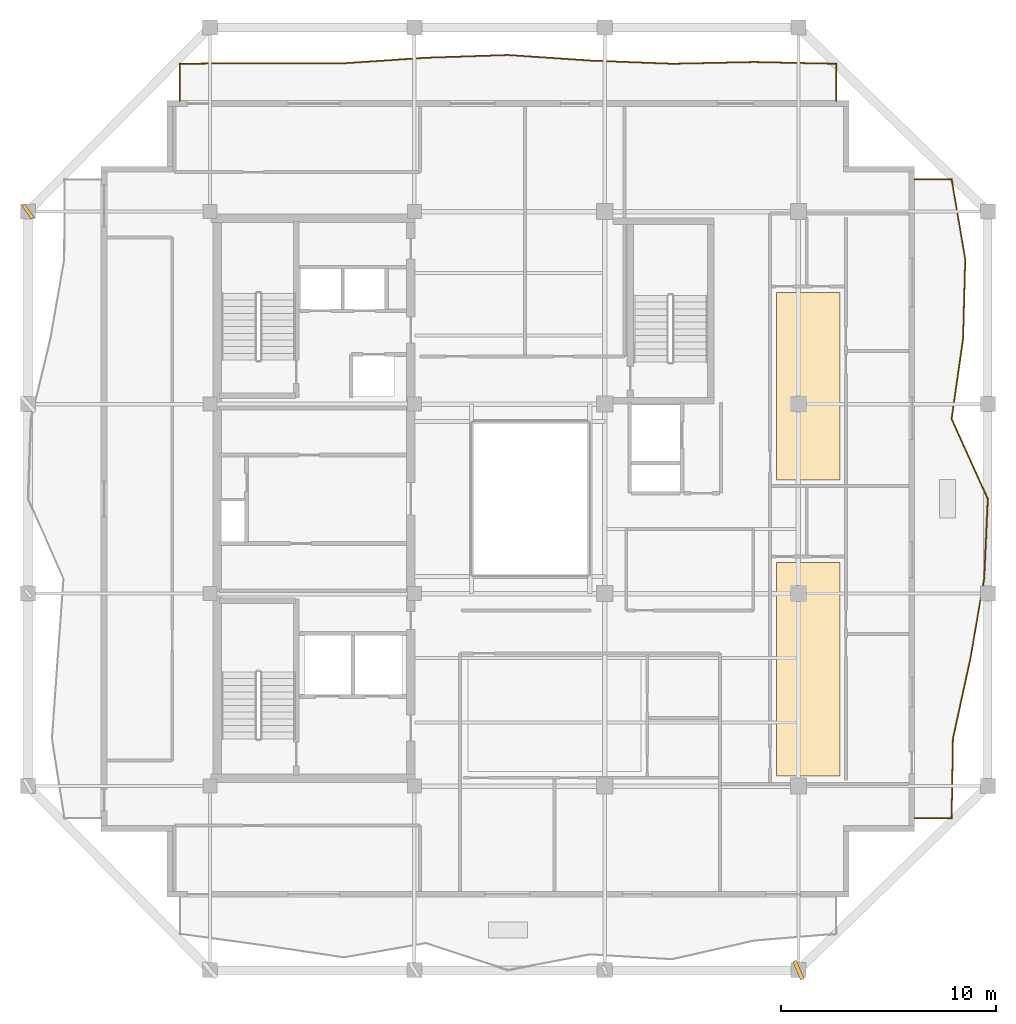
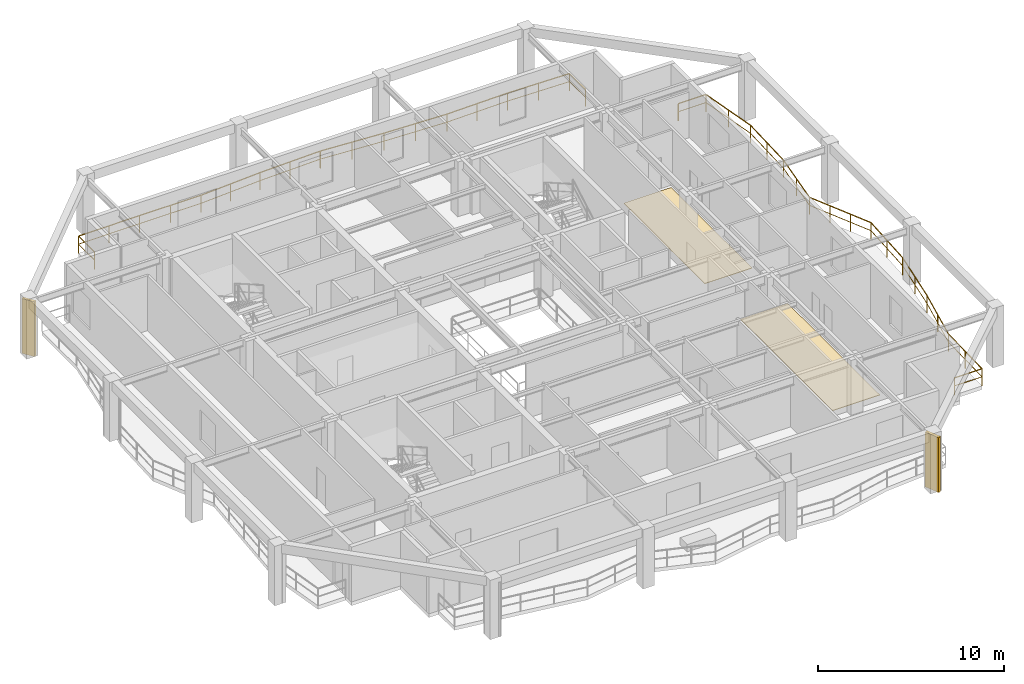
# One storey, part 9 of 10: 2 coverings, 2 railings, 2 shading devices.
"""IFC4 building model written with IfcOpenShell, lengths in metres."""

from ifc_helpers import new_model, si_unit, direction, frame, origin, origin_2d, place, context, subcontext, project, spatial, polyline, rectangle, outline, extrude, material, layer, layer_set, type_object, element, save


model = new_model("IFC4")

# Units and contexts
model_context = context("Model", 3, precision=1e-05, world=origin(), true_north=direction((0.0, 1.0)))
body_context = subcontext(model_context, "Body", "Model", "MODEL_VIEW")
ifc_project = project(units=[si_unit("LENGTHUNIT", "METRE"), si_unit("AREAUNIT", "SQUARE_METRE"), si_unit("VOLUMEUNIT", "CUBIC_METRE"), si_unit("PLANEANGLEUNIT", "RADIAN"), si_unit("MASSUNIT", "GRAM", prefix="KILO")], contexts=[model_context])

# Site, building, storey
site_placement = place(None, origin())
site = spatial("IfcSite", under=ifc_project, at=site_placement, CompositionType="ELEMENT")
building_placement = place(site_placement, origin())
building = spatial("IfcBuilding", under=site, at=building_placement, Name="Kundavana Baori Tower", CompositionType="ELEMENT")
storey_placement = place(building_placement, frame((0.0, 0.0, 303.800048828125)))
storey = spatial("IfcBuildingStorey", under=building, at=storey_placement, Name="L75", CompositionType="ELEMENT", Elevation=303.800048828125)

# Coverings
ifc_material_1 = material(Name="Honed Kota Stone and Terrazzo Flooring", Category="masonry")
ifc_layer = layer(ifc_material_1, 0.030029296875, Name="COV-INT-FLR")
ifc_layer_set = layer_set([ifc_layer], Name="Honed Kota Stone and Terrazzo Flooring")
covering_type = type_object("IfcCoveringType", Name="COV-INT-FLR", PredefinedType="FLOORING", material=ifc_layer_set)
covering_1_placement = place(storey_placement, origin())
element("IfcCovering", 1, at=covering_1_placement, inside=storey, type_object=covering_type, Name="L75 Room Finished Stone Flooring 2", PredefinedType="FLOORING", context=body_context, shape_type="SweptSolid", body=[
    extrude(outline(polyline([(41.780029296875, 15.72998046875), (44.719970703125, 15.72998046875), (44.719970703125, 25.639892578125), (41.780029296875, 25.639892578125), (41.780029296875, 15.72998046875)])), origin(), (0.0, 0.0, 1.0), 0.030029296875),
])
covering_2_placement = place(storey_placement, origin())
element("IfcCovering", 2, at=covering_2_placement, inside=storey, type_object=covering_type, Name="L75 Room Finished Stone Flooring 3", PredefinedType="FLOORING", context=body_context, shape_type="SweptSolid", body=[
    extrude(outline(polyline([(41.780029296875, 29.47998046875), (44.719970703125, 29.47998046875), (44.719970703125, 38.18994140625), (41.780029296875, 38.18994140625), (41.780029296875, 29.47998046875)])), origin(), (0.0, 0.0, 1.0), 0.030029296875),
])

# Railings
ifc_material_2 = material(Name="Architectural Patinated Bronze Metalwork")
railing_type = type_object("IfcRailingType", Name="RL-BAL-1150", PredefinedType="BALUSTRADE", material=ifc_material_2)
railing_1_placement = place(storey_placement, frame((48.199951171875, 43.449951171875, 0.0)))
element("IfcRailing", 3, at=railing_1_placement, inside=storey, type_object=railing_type, Name="L75 Loggia Balcony Balustrade E", PredefinedType="BALUSTRADE", context=body_context, shape_type="SweptSolid", body=[
    extrude(rectangle(XDim=0.048095703125, YDim=0.048095703125, at=origin_2d()), frame((0.0, 0.0, 1.1259765625), z_axis=(1.0, 0.0, 0.0), x_axis=(0.0, 1.0, 0.0)), (0.0, 0.0, 1.0), 1.719970703125),
    extrude(rectangle(XDim=0.03125, YDim=0.03125, at=origin_2d()), frame((0.0, 0.0, 0.597900390625), z_axis=(1.0, 0.0, 0.0), x_axis=(0.0, 1.0, 0.0)), (0.0, 0.0, 1.0), 1.719970703125),
    extrude(rectangle(XDim=0.048095703125, YDim=0.048095703125, at=origin_2d()), frame((1.719970703125, 0.0, 1.1259765625), z_axis=(0.168119753974, -0.985766579026, 0.0), x_axis=(0.985766579026, 0.168119753974, 0.0)), (0.0, 0.0, 1.0), 3.765625),
    extrude(rectangle(XDim=0.03125, YDim=0.03125, at=origin_2d()), frame((1.719970703125, 0.0, 0.597900390625), z_axis=(0.168119753974, -0.985766579026, 0.0), x_axis=(0.985766579026, 0.168119753974, 0.0)), (0.0, 0.0, 1.0), 3.765625),
    extrude(rectangle(XDim=0.048095703125, YDim=0.048095703125, at=origin_2d()), frame((2.35302734375, -3.7119140625, 1.1259765625), z_axis=(-0.027210645331, -0.999629721837, 0.0), x_axis=(0.999629721837, -0.027210645331, 0.0)), (0.0, 0.0, 1.0), 3.714599609375),
    extrude(rectangle(XDim=0.03125, YDim=0.03125, at=origin_2d()), frame((2.35302734375, -3.7119140625, 0.597900390625), z_axis=(-0.027210645331, -0.999629721837, 0.0), x_axis=(0.999629721837, -0.027210645331, 0.0)), (0.0, 0.0, 1.0), 3.714599609375),
    extrude(rectangle(XDim=0.048095703125, YDim=0.048095703125, at=origin_2d()), frame((2.251953125, -7.425048828125, 1.1259765625), z_axis=(-0.141576274751, -0.989927350076, 0.0), x_axis=(0.989927350076, -0.141576274751, 0.0)), (0.0, 0.0, 1.0), 3.750732421875),
    extrude(rectangle(XDim=0.03125, YDim=0.03125, at=origin_2d()), frame((2.251953125, -7.425048828125, 0.597900390625), z_axis=(-0.141576274751, -0.989927350076, 0.0), x_axis=(0.989927350076, -0.141576274751, 0.0)), (0.0, 0.0, 1.0), 3.750732421875),
    extrude(rectangle(XDim=0.048095703125, YDim=0.048095703125, at=origin_2d()), frame((1.720947265625, -11.137939453125, 1.1259765625), z_axis=(0.412167869855, -0.911107922838, 0.0), x_axis=(0.911107922838, 0.412167869855, 0.0)), (0.0, 0.0, 1.0), 4.073974609375),
    extrude(rectangle(XDim=0.03125, YDim=0.03125, at=origin_2d()), frame((1.720947265625, -11.137939453125, 0.597900390625), z_axis=(0.412167869855, -0.911107922838, 0.0), x_axis=(0.911107922838, 0.412167869855, 0.0)), (0.0, 0.0, 1.0), 4.073974609375),
    extrude(rectangle(XDim=0.048095703125, YDim=0.048095703125, at=origin_2d()), frame((3.400146484375, -14.849853515625, 1.1259765625), z_axis=(-0.046316567078, -0.998926811941, 0.0), x_axis=(0.998926811941, -0.046316567078, 0.0)), (0.0, 0.0, 1.0), 3.716064453125),
    extrude(rectangle(XDim=0.03125, YDim=0.03125, at=origin_2d()), frame((3.400146484375, -14.849853515625, 0.597900390625), z_axis=(-0.046316567078, -0.998926811941, 0.0), x_axis=(0.998926811941, -0.046316567078, 0.0)), (0.0, 0.0, 1.0), 3.716064453125),
    extrude(rectangle(XDim=0.048095703125, YDim=0.048095703125, at=origin_2d()), frame((3.22802734375, -18.56201171875, 1.1259765625), z_axis=(-0.168580624958, -0.985687867882, 0.0), x_axis=(0.985687867882, -0.168580624958, 0.0)), (0.0, 0.0, 1.0), 3.766845703125),
    extrude(rectangle(XDim=0.03125, YDim=0.03125, at=origin_2d()), frame((3.22802734375, -18.56201171875, 0.597900390625), z_axis=(-0.168580624958, -0.985687867882, 0.0), x_axis=(0.985687867882, -0.168580624958, 0.0)), (0.0, 0.0, 1.0), 3.766845703125),
    extrude(rectangle(XDim=0.048095703125, YDim=0.048095703125, at=origin_2d()), frame((2.593017578125, -22.27490234375, 1.1259765625), z_axis=(-0.21314700663, -0.977020139795, 0.0), x_axis=(0.977020139795, -0.21314700663, 0.0)), (0.0, 0.0, 1.0), 3.800537109375),
    extrude(rectangle(XDim=0.03125, YDim=0.03125, at=origin_2d()), frame((2.593017578125, -22.27490234375, 0.597900390625), z_axis=(-0.21314700663, -0.977020139795, 0.0), x_axis=(0.977020139795, -0.21314700663, 0.0)), (0.0, 0.0, 1.0), 3.800537109375),
    extrude(rectangle(XDim=0.048095703125, YDim=0.048095703125, at=origin_2d()), frame((1.782958984375, -25.988037109375, 1.1259765625), z_axis=(-0.016966775974, -0.999856053896, 0.0), x_axis=(0.999856053896, -0.016966775974, 0.0)), (0.0, 0.0, 1.0), 3.71240234375),
    extrude(rectangle(XDim=0.03125, YDim=0.03125, at=origin_2d()), frame((1.782958984375, -25.988037109375, 0.597900390625), z_axis=(-0.016966775974, -0.999856053896, 0.0), x_axis=(0.999856053896, -0.016966775974, 0.0)), (0.0, 0.0, 1.0), 3.71240234375),
    extrude(rectangle(XDim=0.048095703125, YDim=0.048095703125, at=origin_2d()), frame((1.719970703125, -29.699951171875, 1.1259765625), z_axis=(-1.0, 0.0, 0.0), x_axis=(0.0, -1.0, 0.0)), (0.0, 0.0, 1.0), 1.719970703125),
    extrude(rectangle(XDim=0.03125, YDim=0.03125, at=origin_2d()), frame((1.719970703125, -29.699951171875, 0.597900390625), z_axis=(-1.0, 0.0, 0.0), x_axis=(0.0, -1.0, 0.0)), (0.0, 0.0, 1.0), 1.719970703125),
    extrude(rectangle(XDim=0.0419921875, YDim=0.0419921875, at=origin_2d()), origin(), (0.0, 0.0, 1.0), 1.101806640625),
    extrude(rectangle(XDim=0.0419921875, YDim=0.0419921875, at=origin_2d()), frame((1.719970703125, 0.0, 0.0)), (0.0, 0.0, 1.0), 1.101806640625),
    extrude(rectangle(XDim=0.0419921875, YDim=0.0419921875, at=origin_2d()), frame((2.03662109375, -1.85595703125, 0.0)), (0.0, 0.0, 1.0), 1.101806640625),
    extrude(rectangle(XDim=0.0419921875, YDim=0.0419921875, at=origin_2d()), frame((2.35302734375, -3.7119140625, 0.0)), (0.0, 0.0, 1.0), 1.101806640625),
    extrude(rectangle(XDim=0.0419921875, YDim=0.0419921875, at=origin_2d()), frame((2.302490234375, -5.568359375, 0.0)), (0.0, 0.0, 1.0), 1.101806640625),
    extrude(rectangle(XDim=0.0419921875, YDim=0.0419921875, at=origin_2d()), frame((2.251953125, -7.425048828125, 0.0)), (0.0, 0.0, 1.0), 1.101806640625),
    extrude(rectangle(XDim=0.0419921875, YDim=0.0419921875, at=origin_2d()), frame((1.986328125, -9.281494140625, 0.0)), (0.0, 0.0, 1.0), 1.101806640625),
    extrude(rectangle(XDim=0.0419921875, YDim=0.0419921875, at=origin_2d()), frame((1.720947265625, -11.137939453125, 0.0)), (0.0, 0.0, 1.0), 1.101806640625),
    extrude(rectangle(XDim=0.0419921875, YDim=0.0419921875, at=origin_2d()), frame((2.28076171875, -12.375244140625, 0.0)), (0.0, 0.0, 1.0), 1.101806640625),
    extrude(rectangle(XDim=0.0419921875, YDim=0.0419921875, at=origin_2d()), frame((2.84033203125, -13.612548828125, 0.0)), (0.0, 0.0, 1.0), 1.101806640625),
    extrude(rectangle(XDim=0.0419921875, YDim=0.0419921875, at=origin_2d()), frame((3.400146484375, -14.849853515625, 0.0)), (0.0, 0.0, 1.0), 1.101806640625),
    extrude(rectangle(XDim=0.0419921875, YDim=0.0419921875, at=origin_2d()), frame((3.31396484375, -16.7060546875, 0.0)), (0.0, 0.0, 1.0), 1.101806640625),
    extrude(rectangle(XDim=0.0419921875, YDim=0.0419921875, at=origin_2d()), frame((3.22802734375, -18.56201171875, 0.0)), (0.0, 0.0, 1.0), 1.101806640625),
    extrude(rectangle(XDim=0.0419921875, YDim=0.0419921875, at=origin_2d()), frame((2.91064453125, -20.41845703125, 0.0)), (0.0, 0.0, 1.0), 1.101806640625),
    extrude(rectangle(XDim=0.0419921875, YDim=0.0419921875, at=origin_2d()), frame((2.593017578125, -22.27490234375, 0.0)), (0.0, 0.0, 1.0), 1.101806640625),
    extrude(rectangle(XDim=0.0419921875, YDim=0.0419921875, at=origin_2d()), frame((2.18798828125, -24.13134765625, 0.0)), (0.0, 0.0, 1.0), 1.101806640625),
    extrude(rectangle(XDim=0.0419921875, YDim=0.0419921875, at=origin_2d()), frame((1.782958984375, -25.988037109375, 0.0)), (0.0, 0.0, 1.0), 1.101806640625),
    extrude(rectangle(XDim=0.0419921875, YDim=0.0419921875, at=origin_2d()), frame((1.75146484375, -27.843994140625, 0.0)), (0.0, 0.0, 1.0), 1.101806640625),
    extrude(rectangle(XDim=0.0419921875, YDim=0.0419921875, at=origin_2d()), frame((1.719970703125, -29.699951171875, 0.0)), (0.0, 0.0, 1.0), 1.101806640625),
    extrude(rectangle(XDim=0.0419921875, YDim=0.0419921875, at=origin_2d()), frame((0.0, -29.699951171875, 0.0)), (0.0, 0.0, 1.0), 1.101806640625),
])
railing_2_placement = place(storey_placement, frame((14.050048828125, 47.10009765625, 0.0)))
element("IfcRailing", 4, at=railing_2_placement, inside=storey, type_object=railing_type, Name="L75 Loggia Balcony Balustrade N", PredefinedType="BALUSTRADE", context=body_context, shape_type="SweptSolid", body=[
    extrude(rectangle(XDim=0.048095703125, YDim=0.048095703125, at=origin_2d()), frame((0.0, 0.0, 1.1259765625), z_axis=(0.0, 1.0, 0.0), x_axis=(-1.0, 0.0, 0.0)), (0.0, 0.0, 1.0), 1.719970703125),
    extrude(rectangle(XDim=0.03125, YDim=0.03125, at=origin_2d()), frame((0.0, 0.0, 0.597900390625), z_axis=(0.0, 1.0, 0.0), x_axis=(-1.0, 0.0, 0.0)), (0.0, 0.0, 1.0), 1.719970703125),
    extrude(rectangle(XDim=0.048095703125, YDim=0.048095703125, at=origin_2d()), frame((0.0, 1.719970703125, 1.1259765625), z_axis=(0.99996898947, 0.007875284012, 0.0), x_axis=(-0.007875284012, 0.99996898947, 0.0)), (0.0, 0.0, 1.0), 3.81298828125),
    extrude(rectangle(XDim=0.03125, YDim=0.03125, at=origin_2d()), frame((0.0, 1.719970703125, 0.597900390625), z_axis=(0.99996898947, 0.007875284012, 0.0), x_axis=(-0.007875284012, 0.99996898947, 0.0)), (0.0, 0.0, 1.0), 3.81298828125),
    extrude(rectangle(XDim=0.048095703125, YDim=0.048095703125, at=origin_2d()), frame((3.81298828125, 1.75, 1.1259765625), z_axis=(0.999998275209, -0.001857304341, 0.0), x_axis=(0.001857304341, 0.999998275209, 0.0)), (0.0, 0.0, 1.0), 3.81201171875),
    extrude(rectangle(XDim=0.03125, YDim=0.03125, at=origin_2d()), frame((3.81298828125, 1.75, 0.597900390625), z_axis=(0.999998275209, -0.001857304341, 0.0), x_axis=(0.001857304341, 0.999998275209, 0.0)), (0.0, 0.0, 1.0), 3.81201171875),
    extrude(rectangle(XDim=0.048095703125, YDim=0.048095703125, at=origin_2d()), frame((7.625, 1.742919921875, 1.1259765625), z_axis=(0.997750813381, 0.067032189268, 0.0), x_axis=(-0.067032189268, 0.997750813381, 0.0)), (0.0, 0.0, 1.0), 3.820556640625),
    extrude(rectangle(XDim=0.03125, YDim=0.03125, at=origin_2d()), frame((7.625, 1.742919921875, 0.597900390625), z_axis=(0.997750813381, 0.067032189268, 0.0), x_axis=(-0.067032189268, 0.997750813381, 0.0)), (0.0, 0.0, 1.0), 3.820556640625),
    extrude(rectangle(XDim=0.048095703125, YDim=0.048095703125, at=origin_2d()), frame((11.43701171875, 1.9990234375, 1.1259765625), z_axis=(0.99942902784, 0.033787842662, 0.0), x_axis=(-0.033787842662, 0.99942902784, 0.0)), (0.0, 0.0, 1.0), 3.815185546875),
    extrude(rectangle(XDim=0.03125, YDim=0.03125, at=origin_2d()), frame((11.43701171875, 1.9990234375, 0.597900390625), z_axis=(0.99942902784, 0.033787842662, 0.0), x_axis=(-0.033787842662, 0.99942902784, 0.0)), (0.0, 0.0, 1.0), 3.815185546875),
    extrude(rectangle(XDim=0.048095703125, YDim=0.048095703125, at=origin_2d()), frame((15.25, 2.1279296875, 1.1259765625), z_axis=(0.997699238533, -0.067795497123, 0.0), x_axis=(0.067795497123, 0.997699238533, 0.0)), (0.0, 0.0, 1.0), 3.82080078125),
    extrude(rectangle(XDim=0.03125, YDim=0.03125, at=origin_2d()), frame((15.25, 2.1279296875, 0.597900390625), z_axis=(0.997699238533, -0.067795497123, 0.0), x_axis=(0.067795497123, 0.997699238533, 0.0)), (0.0, 0.0, 1.0), 3.82080078125),
    extrude(rectangle(XDim=0.048095703125, YDim=0.048095703125, at=origin_2d()), frame((19.06201171875, 1.868896484375, 1.1259765625), z_axis=(0.999248075275, -0.0387722073, 0.0), x_axis=(0.0387722073, 0.999248075275, 0.0)), (0.0, 0.0, 1.0), 3.81591796875),
    extrude(rectangle(XDim=0.03125, YDim=0.03125, at=origin_2d()), frame((19.06201171875, 1.868896484375, 0.597900390625), z_axis=(0.999248075275, -0.0387722073, 0.0), x_axis=(0.0387722073, 0.999248075275, 0.0)), (0.0, 0.0, 1.0), 3.81591796875),
    extrude(rectangle(XDim=0.048095703125, YDim=0.048095703125, at=origin_2d()), frame((22.875, 1.720947265625, 1.1259765625), z_axis=(0.999774019696, 0.021258164118, 0.0), x_axis=(-0.021258164118, 0.999774019696, 0.0)), (0.0, 0.0, 1.0), 3.81298828125),
    extrude(rectangle(XDim=0.03125, YDim=0.03125, at=origin_2d()), frame((22.875, 1.720947265625, 0.597900390625), z_axis=(0.999774019696, 0.021258164118, 0.0), x_axis=(-0.021258164118, 0.999774019696, 0.0)), (0.0, 0.0, 1.0), 3.81298828125),
    extrude(rectangle(XDim=0.048095703125, YDim=0.048095703125, at=origin_2d()), frame((26.68701171875, 1.802001953125, 1.1259765625), z_axis=(0.999768661988, -0.021508661188, 0.0), x_axis=(0.021508661188, 0.999768661988, 0.0)), (0.0, 0.0, 1.0), 3.81396484375),
    extrude(rectangle(XDim=0.03125, YDim=0.03125, at=origin_2d()), frame((26.68701171875, 1.802001953125, 0.597900390625), z_axis=(0.999768661988, -0.021508661188, 0.0), x_axis=(0.021508661188, 0.999768661988, 0.0)), (0.0, 0.0, 1.0), 3.81396484375),
    extrude(rectangle(XDim=0.048095703125, YDim=0.048095703125, at=origin_2d()), frame((30.5, 1.719970703125, 1.1259765625), z_axis=(0.0, -1.0, 0.0), x_axis=(1.0, 0.0, 0.0)), (0.0, 0.0, 1.0), 1.719970703125),
    extrude(rectangle(XDim=0.03125, YDim=0.03125, at=origin_2d()), frame((30.5, 1.719970703125, 0.597900390625), z_axis=(0.0, -1.0, 0.0), x_axis=(1.0, 0.0, 0.0)), (0.0, 0.0, 1.0), 1.719970703125),
    extrude(rectangle(XDim=0.0419921875, YDim=0.0419921875, at=origin_2d()), origin(), (0.0, 0.0, 1.0), 1.101806640625),
    extrude(rectangle(XDim=0.0419921875, YDim=0.0419921875, at=origin_2d()), frame((0.0, 1.719970703125, 0.0)), (0.0, 0.0, 1.0), 1.101806640625),
    extrude(rectangle(XDim=0.0419921875, YDim=0.0419921875, at=origin_2d()), frame((1.906494140625, 1.73486328125, 0.0)), (0.0, 0.0, 1.0), 1.101806640625),
    extrude(rectangle(XDim=0.0419921875, YDim=0.0419921875, at=origin_2d()), frame((3.81298828125, 1.75, 0.0)), (0.0, 0.0, 1.0), 1.101806640625),
    extrude(rectangle(XDim=0.0419921875, YDim=0.0419921875, at=origin_2d()), frame((5.718994140625, 1.74658203125, 0.0)), (0.0, 0.0, 1.0), 1.101806640625),
    extrude(rectangle(XDim=0.0419921875, YDim=0.0419921875, at=origin_2d()), frame((7.625, 1.742919921875, 0.0)), (0.0, 0.0, 1.0), 1.101806640625),
    extrude(rectangle(XDim=0.0419921875, YDim=0.0419921875, at=origin_2d()), frame((9.531005859375, 1.87109375, 0.0)), (0.0, 0.0, 1.0), 1.101806640625),
    extrude(rectangle(XDim=0.0419921875, YDim=0.0419921875, at=origin_2d()), frame((11.43701171875, 1.9990234375, 0.0)), (0.0, 0.0, 1.0), 1.101806640625),
    extrude(rectangle(XDim=0.0419921875, YDim=0.0419921875, at=origin_2d()), frame((13.343505859375, 2.0634765625, 0.0)), (0.0, 0.0, 1.0), 1.101806640625),
    extrude(rectangle(XDim=0.0419921875, YDim=0.0419921875, at=origin_2d()), frame((15.25, 2.1279296875, 0.0)), (0.0, 0.0, 1.0), 1.101806640625),
    extrude(rectangle(XDim=0.0419921875, YDim=0.0419921875, at=origin_2d()), frame((17.156005859375, 1.99853515625, 0.0)), (0.0, 0.0, 1.0), 1.101806640625),
    extrude(rectangle(XDim=0.0419921875, YDim=0.0419921875, at=origin_2d()), frame((19.06201171875, 1.868896484375, 0.0)), (0.0, 0.0, 1.0), 1.101806640625),
    extrude(rectangle(XDim=0.0419921875, YDim=0.0419921875, at=origin_2d()), frame((20.968505859375, 1.794921875, 0.0)), (0.0, 0.0, 1.0), 1.101806640625),
    extrude(rectangle(XDim=0.0419921875, YDim=0.0419921875, at=origin_2d()), frame((22.875, 1.720947265625, 0.0)), (0.0, 0.0, 1.0), 1.101806640625),
    extrude(rectangle(XDim=0.0419921875, YDim=0.0419921875, at=origin_2d()), frame((24.781005859375, 1.761474609375, 0.0)), (0.0, 0.0, 1.0), 1.101806640625),
    extrude(rectangle(XDim=0.0419921875, YDim=0.0419921875, at=origin_2d()), frame((26.68701171875, 1.802001953125, 0.0)), (0.0, 0.0, 1.0), 1.101806640625),
    extrude(rectangle(XDim=0.0419921875, YDim=0.0419921875, at=origin_2d()), frame((28.593505859375, 1.760986328125, 0.0)), (0.0, 0.0, 1.0), 1.101806640625),
    extrude(rectangle(XDim=0.0419921875, YDim=0.0419921875, at=origin_2d()), frame((30.5, 1.719970703125, 0.0)), (0.0, 0.0, 1.0), 1.101806640625),
    extrude(rectangle(XDim=0.0419921875, YDim=0.0419921875, at=origin_2d()), frame((30.5, 0.0, 0.0)), (0.0, 0.0, 1.0), 1.101806640625),
])

# Shading devices
ifc_material_3 = material(Name="Red-Buff Dholpur Sandstone Cladding on Concrete C40/50", Category="masonry")
shading_device_type_1 = type_object("IfcShadingDeviceType", Name="SHD-FIN-750", PredefinedType="JALOUSIE", material=ifc_material_3)
shading_device_1_placement = place(storey_placement, frame((7.0, 41.949951171875, 0.0), z_axis=(0.0, 0.0, 1.0), x_axis=(0.818851608095, 0.574005264714, 0.0)))
element("IfcShadingDevice", 5, at=shading_device_1_placement, inside=storey, type_object=shading_device_type_1, Name="L75 Sweeping Dholpur Sandstone Facade Fin 8", PredefinedType="JALOUSIE", context=body_context, shape_type="SweptSolid", body=[
    extrude(rectangle(XDim=0.159912109375, YDim=0.75, at=origin_2d()), origin(), (0.0, 0.0, 1.0), 3.60009765625),
])
ifc_material_4 = material(Name="Red-Buff Dholpur Sandstone Cladding on Concrete C40/50", Category="masonry")
shading_device_type_2 = type_object("IfcShadingDeviceType", Name="SHD-FIN-920", PredefinedType="JALOUSIE", material=ifc_material_4)
shading_device_2_placement = place(storey_placement, frame((42.800048828125, 6.699951171875, 0.0), z_axis=(0.0, 0.0, 1.0), x_axis=(0.921795503319, 0.387676476022, 0.0)))
element("IfcShadingDevice", 6, at=shading_device_2_placement, inside=storey, type_object=shading_device_type_2, Name="L75 Sweeping Dholpur Sandstone Facade Fin 4", PredefinedType="JALOUSIE", context=body_context, shape_type="SweptSolid", body=[
    extrude(rectangle(XDim=0.179931640625, YDim=0.919921875, at=origin_2d()), origin(), (0.0, 0.0, 1.0), 3.60009765625),
])

save(model, "model.ifc")
